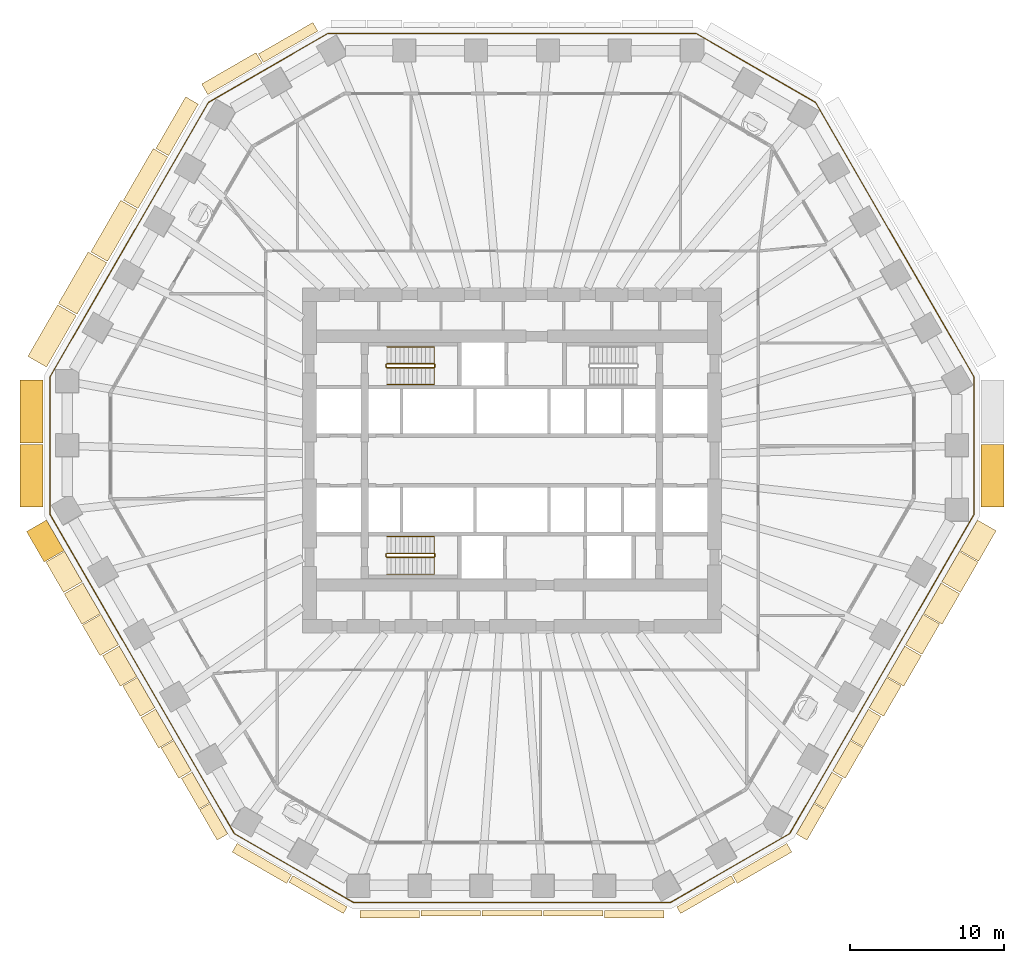
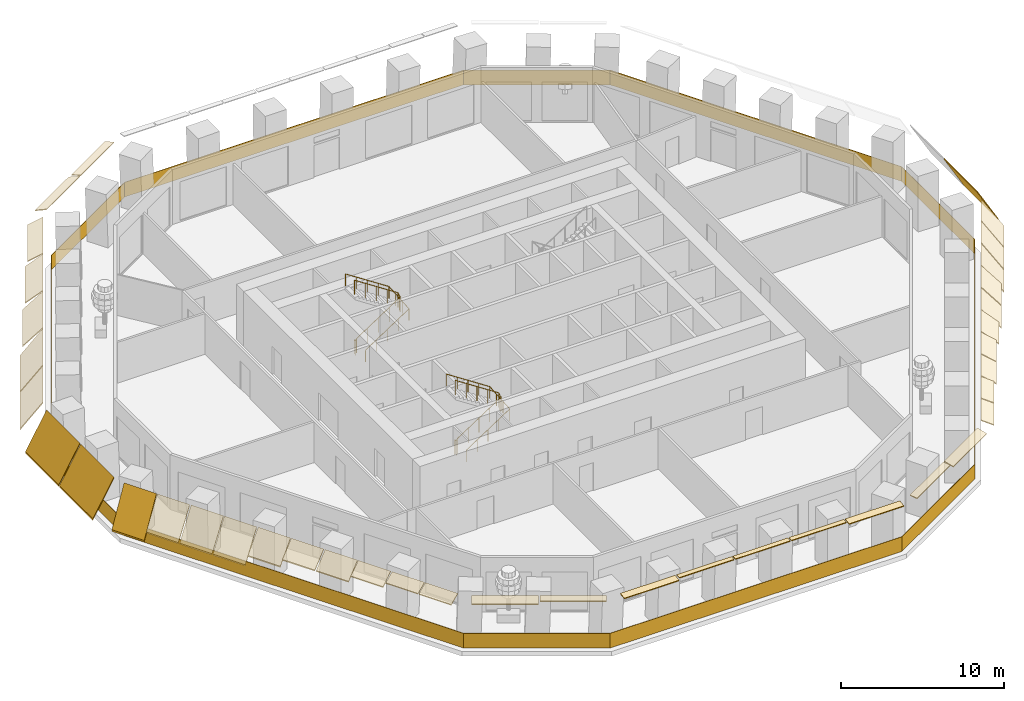
# One storey, part 9 of 12: 39 coverings, 5 railings.
"""IFC4 building model written with IfcOpenShell, lengths in metres."""

from ifc_helpers import new_model, si_unit, direction, frame, origin, origin_2d, place, context, subcontext, project, spatial, polyline, rectangle, circle, outline, extrude, material, layer, layer_set, type_object, element, save


model = new_model("IFC4")

# Units and contexts
model_context = context("Model", 3, precision=1e-05, world=origin(), true_north=direction((0.0, 1.0)))
body_context = subcontext(model_context, "Body", "Model", "MODEL_VIEW")
ifc_project = project(units=[si_unit("LENGTHUNIT", "METRE"), si_unit("AREAUNIT", "SQUARE_METRE"), si_unit("VOLUMEUNIT", "CUBIC_METRE"), si_unit("PLANEANGLEUNIT", "RADIAN"), si_unit("MASSUNIT", "GRAM", prefix="KILO")], contexts=[model_context])

# Site, building, storey
site_placement = place(None, origin())
site = spatial("IfcSite", under=ifc_project, at=site_placement, CompositionType="ELEMENT")
building_placement = place(site_placement, origin())
building = spatial("IfcBuilding", under=site, at=building_placement, Name="Frailejon Research Tower", CompositionType="ELEMENT")
storey_placement = place(building_placement, frame((0.0, 0.0, 45.39990234375)))
storey = spatial("IfcBuildingStorey", under=building, at=storey_placement, Name="L10", CompositionType="ELEMENT", Elevation=45.39990234375)

# Coverings
ifc_material_1 = material(Name="Precast concrete C50/60", Category="concrete")
ifc_layer_1 = layer(ifc_material_1, 0.06005859375)
ifc_layer_set_1 = layer_set([ifc_layer_1], Name="Brim blade depth 1100")
covering_type_1 = type_object("IfcCoveringType", Name="Brim blade depth 1100", PredefinedType="CLADDING", material=ifc_layer_set_1)
covering_1_placement = place(storey_placement, frame((-24.36083984375, 16.418212890625, 4.25), z_axis=(0.500014877162, 0.866016814281, 0.0), x_axis=(-0.866016814281, 0.500014877162, 0.0)))
element("IfcCovering", 1, at=covering_1_placement, inside=storey, type_object=covering_type_1, Name="Brim blade L10", PredefinedType="CLADDING", context=body_context, shape_type="SweptSolid", body=[
    extrude(outline(polyline([(0.0, -0.078369140625), (1.10009765625, -1.001220703125), (1.10009765625, -0.923095703125), (0.0, 0.0), (0.0, -0.078369140625)])), origin(), (0.0, 0.0, 1.0), 3.87646484375),
])
for number, where, z_axis, x_axis, name in (
    (2, (-23.26123046875, -16.1103515625, 4.25), (-0.499998657071, 0.866026179123, 0.0), (-0.866026179123, -0.499998657071, 0.0), "Brim blade L10"),
    (3, (-22.0654296875, -18.181396484375, 4.25), (-0.500005339875, 0.866022320784, 0.0), (-0.866022320784, -0.500005339875, 0.0), "Brim blade L10"),
    (4, (24.406982421875, -14.1259765625, 4.25), (-0.499998657071, -0.866026179123, 0.0), (0.866026179123, -0.499998657071, 0.0), "Brim blade L10"),
):
    element("IfcCovering", number, at=place(storey_placement, frame(where, z_axis=z_axis, x_axis=x_axis)), inside=storey, type_object=covering_type_1, Name=name, PredefinedType="CLADDING", context=body_context, shape_type="SweptSolid", body=[
        extrude(outline(polyline([(0.0, -0.078369140625), (1.10009765625, -1.001220703125), (1.10009765625, -0.923095703125), (0.0, 0.0), (0.0, -0.078369140625)])), origin(), (0.0, 0.0, 1.0), 2.29150390625),
    ])
ifc_material_2 = material(Name="Precast concrete C50/60", Category="concrete")
ifc_layer_2 = layer(ifc_material_2, 0.06005859375)
ifc_layer_set_2 = layer_set([ifc_layer_2], Name="Brim blade depth 1250")
covering_type_2 = type_object("IfcCoveringType", Name="Brim blade depth 1250", PredefinedType="CLADDING", material=ifc_layer_set_2)
covering_2_placement = place(storey_placement, frame((-26.34912109375, 12.974609375, 4.25), z_axis=(0.499985126803, 0.866033990659, 0.0), x_axis=(-0.866033990659, 0.499985126803, 0.0)))
element("IfcCovering", 5, at=covering_2_placement, inside=storey, type_object=covering_type_2, Name="Brim blade L10", PredefinedType="CLADDING", context=body_context, shape_type="SweptSolid", body=[
    extrude(outline(polyline([(0.0, -0.0888671875), (1.25, -1.452880859375), (1.25, -1.364013671875), (0.0, 0.0), (0.0, -0.0888671875)])), origin(), (0.0, 0.0, 1.0), 3.87646484375),
])
for number, where, z_axis, x_axis, name in (
    (6, (-24.43701171875, -14.073974609375, 4.25), (-0.499998657071, 0.866026179123, 0.0), (-0.866026179123, -0.499998657071, 0.0), "Brim blade L10"),
    (7, (25.58251953125, -12.089599609375, 4.25), (-0.499998657071, -0.866026179123, 0.0), (0.866026179123, -0.499998657071, 0.0), "Brim blade L10"),
    (8, (26.7783203125, -10.0185546875, 4.25), (-0.499989527125, -0.866031450217, 0.0), (0.866031450217, -0.499989527125, 0.0), "Brim blade L10"),
):
    element("IfcCovering", number, at=place(storey_placement, frame(where, z_axis=z_axis, x_axis=x_axis)), inside=storey, type_object=covering_type_2, Name=name, PredefinedType="CLADDING", context=body_context, shape_type="SweptSolid", body=[
        extrude(outline(polyline([(0.0, -0.0888671875), (1.25, -1.452880859375), (1.25, -1.364013671875), (0.0, 0.0), (0.0, -0.0888671875)])), origin(), (0.0, 0.0, 1.0), 2.29150390625),
    ])
ifc_material_3 = material(Name="Precast concrete C50/60", Category="concrete")
ifc_layer_3 = layer(ifc_material_3, 0.06005859375)
ifc_layer_set_3 = layer_set([ifc_layer_3], Name="Brim blade depth 1400")
covering_type_3 = type_object("IfcCoveringType", Name="Brim blade depth 1400", PredefinedType="CLADDING", material=ifc_layer_set_3)
for number, where, z_axis, x_axis, name in (
    (9, (-28.337158203125, 9.53076171875, 4.25), (0.499996015972, 0.866027703952, 0.0), (-0.866027703952, 0.499996015972, 0.0), "Brim blade L10"),
    (10, (-30.325439453125, 6.087158203125, 4.25), (0.500014877162, 0.866016814281, 0.0), (-0.866016814281, 0.500014877162, 0.0), "Brim blade L10"),
):
    element("IfcCovering", number, at=place(storey_placement, frame(where, z_axis=z_axis, x_axis=x_axis)), inside=storey, type_object=covering_type_3, Name=name, PredefinedType="CLADDING", context=body_context, shape_type="SweptSolid", body=[
        extrude(outline(polyline([(0.0, -0.1044921875), (1.39990234375, -2.10400390625), (1.39990234375, -1.99951171875), (0.0, 0.0), (0.0, -0.1044921875)])), origin(), (0.0, 0.0, 1.0), 3.87646484375),
    ])
for number, where, z_axis, x_axis, name in (
    (11, (-28.00390625, -7.8955078125, 4.25), (-0.500014469725, 0.866017049524, 0.0), (-0.866017049524, -0.500014469725, 0.0), "Brim blade L10"),
    (12, (-26.808349609375, -9.966552734375, 4.25), (-0.499989527125, 0.866031450217, 0.0), (-0.866031450217, -0.499989527125, 0.0), "Brim blade L10"),
    (13, (-25.632568359375, -12.0029296875, 4.25), (-0.499989527125, 0.866031450217, 0.0), (-0.866031450217, -0.499989527125, 0.0), "Brim blade L10"),
    (14, (27.9541015625, -7.982177734375, 4.25), (-0.499989527125, -0.866031450217, 0.0), (0.866031450217, -0.499989527125, 0.0), "Brim blade L10"),
    (15, (29.14990234375, -5.9111328125, 4.25), (-0.500014469725, -0.866017049524, 0.0), (0.866017049524, -0.500014469725, 0.0), "Brim blade L10"),
    (16, (30.325439453125, -3.874755859375, 4.25), (-0.500014469725, -0.866017049524, 0.0), (0.866017049524, -0.500014469725, 0.0), "Brim blade L10"),
):
    element("IfcCovering", number, at=place(storey_placement, frame(where, z_axis=z_axis, x_axis=x_axis)), inside=storey, type_object=covering_type_3, Name=name, PredefinedType="CLADDING", context=body_context, shape_type="SweptSolid", body=[
        extrude(outline(polyline([(0.0, -0.1044921875), (1.39990234375, -2.10400390625), (1.39990234375, -1.99951171875), (0.0, 0.0), (0.0, -0.1044921875)])), origin(), (0.0, 0.0, 1.0), 2.29150390625),
    ])
ifc_material_4 = material(Name="Precast concrete C50/60", Category="concrete")
ifc_layer_4 = layer(ifc_material_4, 0.06005859375)
ifc_layer_set_4 = layer_set([ifc_layer_4], Name="Brim blade depth 1500")
covering_type_4 = type_object("IfcCoveringType", Name="Brim blade depth 1500", PredefinedType="CLADDING", material=ifc_layer_set_4)
for number, where, z_axis, x_axis, name in (
    (17, (30.551513671875, 1.05615234375, 4.25), (0.0, -1.0, 0.0), (1.0, 0.0, 0.0), "Brim blade L10"),
    (18, (-30.551513671875, 1.15625, 4.25), (0.0, 1.0, 0.0), (-1.0, 0.0, 0.0), "Brim blade L10"),
    (19, (-30.551513671875, -3.031494140625, 4.25), (0.0, 1.0, 0.0), (-1.0, 0.0, 0.0), "Brim blade L10"),
):
    element("IfcCovering", number, at=place(storey_placement, frame(where, z_axis=z_axis, x_axis=x_axis)), inside=storey, type_object=covering_type_4, Name=name, PredefinedType="CLADDING", context=body_context, shape_type="SweptSolid", body=[
        extrude(outline(polyline([(0.0, -0.1201171875), (1.5, -2.718017578125), (1.5, -2.59814453125), (0.0, 0.0), (0.0, -0.1201171875)])), origin(), (0.0, 0.0, 1.0), 4.087646484375),
    ])
covering_3_placement = place(storey_placement, frame((-29.1796875, -5.859130859375, 4.25), z_axis=(-0.500014469725, 0.866017049524, 0.0), x_axis=(-0.866017049524, -0.500014469725, 0.0)))
element("IfcCovering", 20, at=covering_3_placement, inside=storey, type_object=covering_type_4, Name="Brim blade L10", PredefinedType="CLADDING", context=body_context, shape_type="SweptSolid", body=[
    extrude(outline(polyline([(0.0, -0.1201171875), (1.5, -2.718017578125), (1.5, -2.59814453125), (0.0, 0.0), (0.0, -0.1201171875)])), origin(), (0.0, 0.0, 1.0), 2.29150390625),
])
ifc_material_5 = material(Name="Precast concrete C50/60", Category="concrete")
ifc_layer_5 = layer(ifc_material_5, 0.06005859375)
ifc_layer_set_5 = layer_set([ifc_layer_5], Name="Brim blade depth 350")
covering_type_5 = type_object("IfcCoveringType", Name="Brim blade depth 350", PredefinedType="CLADDING", material=ifc_layer_set_5)
for number, where, z_axis, x_axis, name in (
    (21, (-2.0380859375, -29.30615234375, 4.25), (-1.0, 0.0, 0.0), (0.0, -1.0, 0.0), "Brim blade L10"),
    (22, (1.938232421875, -29.30615234375, 4.25), (-1.0, 0.0, 0.0), (0.0, -1.0, 0.0), "Brim blade L10"),
    (23, (5.914794921875, -29.30615234375, 4.25), (-1.0, 0.0, 0.0), (0.0, -1.0, 0.0), "Brim blade L10"),
):
    element("IfcCovering", number, at=place(storey_placement, frame(where, z_axis=z_axis, x_axis=x_axis)), inside=storey, type_object=covering_type_5, Name=name, PredefinedType="CLADDING", context=body_context, shape_type="SweptSolid", body=[
        extrude(outline(polyline([(0.0, -0.06005859375), (0.35009765625, -0.06005859375), (0.35009765625, 0.0), (0.0, 0.0), (0.0, -0.06005859375)])), origin(), (0.0, 0.0, 1.0), 3.87646484375),
    ])
ifc_material_6 = material(Name="Precast concrete C50/60", Category="concrete")
ifc_layer_6 = layer(ifc_material_6, 0.06005859375)
ifc_layer_set_6 = layer_set([ifc_layer_6], Name="Brim blade depth 500")
covering_type_6 = type_object("IfcCoveringType", Name="Brim blade depth 500", PredefinedType="CLADDING", material=ifc_layer_set_6)
covering_4_placement = place(storey_placement, frame((-10.734619140625, -29.080078125, 4.25), z_axis=(-0.866021344981, 0.500007029989, 0.0), x_axis=(-0.500007029989, -0.866021344981, 0.0)))
element("IfcCovering", 24, at=covering_4_placement, inside=storey, type_object=covering_type_6, Name="Brim blade L10", PredefinedType="CLADDING", context=body_context, shape_type="SweptSolid", body=[
    extrude(outline(polyline([(0.0, -0.060546875), (0.5, -0.130859375), (0.5, -0.0703125), (0.0, 0.0), (0.0, -0.060546875)])), origin(), (0.0, 0.0, 1.0), 4.08740234375),
])
for number, where, z_axis, x_axis, name in (
    (25, (-6.0146484375, -29.30615234375, 4.25), (-1.0, 0.0, 0.0), (0.0, -1.0, 0.0), "Brim blade L10"),
    (26, (9.89111328125, -29.30615234375, 4.25), (-1.0, 0.0, 0.0), (0.0, -1.0, 0.0), "Brim blade L10"),
):
    element("IfcCovering", number, at=place(storey_placement, frame(where, z_axis=z_axis, x_axis=x_axis)), inside=storey, type_object=covering_type_6, Name=name, PredefinedType="CLADDING", context=body_context, shape_type="SweptSolid", body=[
        extrude(outline(polyline([(0.0, -0.060546875), (0.5, -0.130859375), (0.5, -0.0703125), (0.0, 0.0), (0.0, -0.060546875)])), origin(), (0.0, 0.0, 1.0), 3.87646484375),
    ])
covering_5_placement = place(storey_placement, frame((14.2744140625, -27.036376953125, 4.25), z_axis=(-0.866021344981, -0.500007029989, 0.0), x_axis=(0.500007029989, -0.866021344981, 0.0)))
element("IfcCovering", 27, at=covering_5_placement, inside=storey, type_object=covering_type_6, Name="Brim blade L10", PredefinedType="CLADDING", context=body_context, shape_type="SweptSolid", body=[
    extrude(outline(polyline([(0.0, -0.060546875), (0.5, -0.130859375), (0.5, -0.0703125), (0.0, 0.0), (0.0, -0.060546875)])), origin(), (0.0, 0.0, 1.0), 4.08740234375),
])
ifc_material_7 = material(Name="Precast concrete C50/60", Category="concrete")
ifc_layer_7 = layer(ifc_material_7, 0.06005859375)
ifc_layer_set_7 = layer_set([ifc_layer_7], Name="Brim blade depth 650")
covering_type_7 = type_object("IfcCoveringType", Name="Brim blade depth 650", PredefinedType="CLADDING", material=ifc_layer_set_7)
covering_6_placement = place(storey_placement, frame((-16.1904296875, 25.93017578125, 4.25), z_axis=(0.866021344981, 0.500007029989, 0.0), x_axis=(-0.500007029989, 0.866021344981, 0.0)))
element("IfcCovering", 28, at=covering_6_placement, inside=storey, type_object=covering_type_7, Name="Brim blade L10", PredefinedType="CLADDING", context=body_context, shape_type="SweptSolid", body=[
    extrude(outline(polyline([(0.0, -0.0625), (0.64990234375, -0.248779296875), (0.64990234375, -0.186279296875), (0.0, 0.0), (0.0, -0.0625)])), origin(), (0.0, 0.0, 1.0), 4.08740234375),
])
for number, where, z_axis, x_axis, name in (
    (29, (-14.361083984375, -26.986328125, 4.25), (-0.866027315287, 0.499996689166, 0.0), (-0.499996689166, -0.866027315287, 0.0), "Brim blade L10"),
    (30, (17.90087890625, -24.942626953125, 4.25), (-0.866027315287, -0.499996689166, 0.0), (0.499996689166, -0.866027315287, 0.0), "Brim blade L10"),
):
    element("IfcCovering", number, at=place(storey_placement, frame(where, z_axis=z_axis, x_axis=x_axis)), inside=storey, type_object=covering_type_7, Name=name, PredefinedType="CLADDING", context=body_context, shape_type="SweptSolid", body=[
        extrude(outline(polyline([(0.0, -0.0625), (0.64990234375, -0.248779296875), (0.64990234375, -0.186279296875), (0.0, 0.0), (0.0, -0.0625)])), origin(), (0.0, 0.0, 1.0), 4.087646484375),
    ])
ifc_material_8 = material(Name="Precast concrete C50/60", Category="concrete")
ifc_layer_8 = layer(ifc_material_8, 0.06005859375)
ifc_layer_set_8 = layer_set([ifc_layer_8], Name="Brim blade depth 800")
covering_type_8 = type_object("IfcCoveringType", Name="Brim blade depth 800", PredefinedType="CLADDING", material=ifc_layer_set_8)
covering_7_placement = place(storey_placement, frame((-19.81689453125, 23.83642578125, 4.25), z_axis=(0.866027315287, 0.499996689166, 0.0), x_axis=(-0.499996689166, 0.866027315287, 0.0)))
element("IfcCovering", 31, at=covering_7_placement, inside=storey, type_object=covering_type_8, Name="Brim blade L10", PredefinedType="CLADDING", context=body_context, shape_type="SweptSolid", body=[
    extrude(outline(polyline([(0.0, -0.065673828125), (0.800048828125, -0.421875), (0.800048828125, -0.356201171875), (0.0, 0.0), (0.0, -0.065673828125)])), origin(), (0.0, 0.0, 1.0), 4.087646484375),
])
for number, where, z_axis, x_axis, name in (
    (32, (-19.694091796875, -22.288818359375, 4.25), (-0.499998657071, 0.866026179123, 0.0), (-0.866026179123, -0.499998657071, 0.0), "Brim blade L10"),
    (33, (-18.518310546875, -24.3251953125, 4.25), (-0.499998657071, 0.866026179123, 0.0), (-0.866026179123, -0.499998657071, 0.0), "Brim blade L10"),
    (34, (19.6640625, -22.3408203125, 4.25), (-0.499998657071, -0.866026179123, 0.0), (0.866026179123, -0.499998657071, 0.0), "Brim blade L10"),
    (35, (20.839599609375, -20.304443359375, 4.25), (-0.499998657071, -0.866026179123, 0.0), (0.866026179123, -0.499998657071, 0.0), "Brim blade L10"),
):
    element("IfcCovering", number, at=place(storey_placement, frame(where, z_axis=z_axis, x_axis=x_axis)), inside=storey, type_object=covering_type_8, Name=name, PredefinedType="CLADDING", context=body_context, shape_type="SweptSolid", body=[
        extrude(outline(polyline([(0.0, -0.065673828125), (0.800048828125, -0.421875), (0.800048828125, -0.356201171875), (0.0, 0.0), (0.0, -0.065673828125)])), origin(), (0.0, 0.0, 1.0), 2.29150390625),
    ])
ifc_material_9 = material(Name="Precast concrete C50/60", Category="concrete")
ifc_layer_9 = layer(ifc_material_9, 0.06005859375)
ifc_layer_set_9 = layer_set([ifc_layer_9], Name="Brim blade depth 950")
covering_type_9 = type_object("IfcCoveringType", Name="Brim blade depth 950", PredefinedType="CLADDING", material=ifc_layer_set_9)
covering_8_placement = place(storey_placement, frame((-22.37255859375, 19.862060546875, 4.25), z_axis=(0.499996015972, 0.866027703952, 0.0), x_axis=(-0.866027703952, 0.499996015972, 0.0)))
element("IfcCovering", 36, at=covering_8_placement, inside=storey, type_object=covering_type_9, Name="Brim blade L10", PredefinedType="CLADDING", context=body_context, shape_type="SweptSolid", body=[
    extrude(outline(polyline([(0.0, -0.07080078125), (0.949951171875, -0.664306640625), (0.949951171875, -0.593505859375), (0.0, 0.0), (0.0, -0.07080078125)])), origin(), (0.0, 0.0, 1.0), 3.87646484375),
])
for number, where, z_axis, x_axis, name in (
    (37, (-20.8896484375, -20.218017578125, 4.25), (-0.500005339875, 0.866022320784, 0.0), (-0.866022320784, -0.500005339875, 0.0), "Brim blade L10"),
    (38, (22.035400390625, -18.2333984375, 4.25), (-0.500005339875, -0.866022320784, 0.0), (0.866022320784, -0.500005339875, 0.0), "Brim blade L10"),
    (39, (23.211181640625, -16.197021484375, 4.25), (-0.500005339875, -0.866022320784, 0.0), (0.866022320784, -0.500005339875, 0.0), "Brim blade L10"),
):
    element("IfcCovering", number, at=place(storey_placement, frame(where, z_axis=z_axis, x_axis=x_axis)), inside=storey, type_object=covering_type_9, Name=name, PredefinedType="CLADDING", context=body_context, shape_type="SweptSolid", body=[
        extrude(outline(polyline([(0.0, -0.07080078125), (0.949951171875, -0.664306640625), (0.949951171875, -0.593505859375), (0.0, 0.0), (0.0, -0.07080078125)])), origin(), (0.0, 0.0, 1.0), 2.29150390625),
    ])

# Railings
ifc_material_10 = material(Name="Laminated glass balustrade", Category="glass")
railing_type_1 = type_object("IfcRailingType", Name="Glass guard 1100", PredefinedType="GUARDRAIL", material=ifc_material_10)
railing_1_placement = place(storey_placement, frame((30.09228515625, -3.52001953125, 0.0)))
element("IfcRailing", 40, at=railing_1_placement, inside=storey, type_object=railing_type_1, Name="Loggia guard L10", PredefinedType="GUARDRAIL", context=body_context, shape_type="SweptSolid", body=[
    extrude(rectangle(XDim=8.975830078125, YDim=0.030029296875, at=origin_2d()), frame((0.0, 4.48779296875, 0.0), z_axis=(0.0, 0.0, 1.0), x_axis=(0.0, 1.0, 0.0)), (0.0, 0.0, 1.0), 1.10009765625),
    extrude(rectangle(XDim=20.642822265625, YDim=0.030029296875, at=origin_2d()), frame((-5.16064453125, 17.91455078125, 0.0), z_axis=(0.0, 0.0, 1.0), x_axis=(-0.499995800294, 0.866027828472, 0.0)), (0.0, 0.0, 1.0), 1.10009765625),
    extrude(rectangle(XDim=8.9755859375, YDim=0.030029296875, at=origin_2d()), frame((-14.2080078125, 29.096923828125, 0.0), z_axis=(0.0, 0.0, 1.0), x_axis=(-0.866028409771, 0.499994793442, 0.0)), (0.0, 0.0, 1.0), 1.10009765625),
    extrude(rectangle(XDim=23.99560546875, YDim=0.030029296875, at=origin_2d()), frame((-30.09228515625, 31.3408203125, 0.0), z_axis=(0.0, 0.0, 1.0), x_axis=(-1.0, 0.0, 0.0)), (0.0, 0.0, 1.0), 1.10009765625),
    extrude(rectangle(XDim=8.9755859375, YDim=0.030029296875, at=origin_2d()), frame((-45.9765625, 29.096923828125, 0.0), z_axis=(0.0, 0.0, 1.0), x_axis=(-0.866028409771, -0.499994793442, 0.0)), (0.0, 0.0, 1.0), 1.10009765625),
    extrude(rectangle(XDim=20.642822265625, YDim=0.030029296875, at=origin_2d()), frame((-55.02392578125, 17.91455078125, 0.0), z_axis=(0.0, 0.0, 1.0), x_axis=(-0.499995800294, -0.866027828472, 0.0)), (0.0, 0.0, 1.0), 1.10009765625),
    extrude(rectangle(XDim=8.975830078125, YDim=0.030029296875, at=origin_2d()), frame((-60.1845703125, 4.48779296875, 0.0), z_axis=(0.0, 0.0, 1.0), x_axis=(0.0, -1.0, 0.0)), (0.0, 0.0, 1.0), 1.10009765625),
    extrude(rectangle(XDim=23.99560546875, YDim=0.030029296875, at=origin_2d()), frame((-54.185546875, -10.390380859375, 0.0), z_axis=(0.0, 0.0, 1.0), x_axis=(0.500000761456, -0.866024964157, 0.0)), (0.0, 0.0, 1.0), 1.10009765625),
    extrude(rectangle(XDim=8.975830078125, YDim=0.030029296875, at=origin_2d()), frame((-44.30029296875, -23.02490234375, 0.0), z_axis=(0.0, 0.0, 1.0), x_axis=(0.866016631724, -0.500015193347, 0.0)), (0.0, 0.0, 1.0), 1.10009765625),
    extrude(rectangle(XDim=20.642578125, YDim=0.030029296875, at=origin_2d()), frame((-30.09228515625, -25.268798828125, 0.0), z_axis=(0.0, 0.0, 1.0), x_axis=(1.0, 0.0, 0.0)), (0.0, 0.0, 1.0), 1.10009765625),
    extrude(rectangle(XDim=8.975830078125, YDim=0.030029296875, at=origin_2d()), frame((-15.88427734375, -23.02490234375, 0.0), z_axis=(0.0, 0.0, 1.0), x_axis=(0.866016631724, 0.500015193347, 0.0)), (0.0, 0.0, 1.0), 1.10009765625),
    extrude(rectangle(XDim=23.92578125, YDim=0.030029296875, at=origin_2d()), frame((-6.016357421875, -10.420654296875, 0.0), z_axis=(0.0, 0.0, 1.0), x_axis=(0.500002163175, 0.866024154871, 0.0)), (0.0, 0.0, 1.0), 1.10009765625),
])
ifc_material_11 = material(Name="Stainless steel", Category="steel")
railing_type_2 = type_object("IfcRailingType", Name="Stair guard 1100", PredefinedType="GUARDRAIL", material=ifc_material_11)
railing_2_placement = place(storey_placement, frame((-8.199951171875, 6.25, 0.0)))
element("IfcRailing", 41, at=railing_2_placement, inside=storey, type_object=railing_type_2, Name="L10 ST1 stair guard 1", PredefinedType="GUARDRAIL", context=body_context, shape_type="SweptSolid", body=[
    extrude(circle(Radius=0.02392578125, at=origin_2d()), frame((0.0, 0.0, 1.076171875), z_axis=(0.0, -1.0, 0.0), x_axis=(1.0, 0.0, 0.0)), (0.0, 0.0, 1.0), 0.14990234375),
    extrude(circle(Radius=0.02392578125, at=origin_2d()), frame((0.0, -0.14990234375, 1.076171875), z_axis=(0.254653276557, -0.254653276557, 0.932900539971), x_axis=(0.707106781187, 0.707106781187, 0.0)), (0.0, 0.0, 1.0), 0.196533203125),
    extrude(circle(Radius=0.02392578125, at=origin_2d()), frame((0.050048828125, -0.199951171875, 1.25927734375), z_axis=(0.836582707638, 0.0, 0.547840645882), x_axis=(0.0, 1.0, 0.0)), (0.0, 0.0, 1.0), 3.681396484375),
    extrude(circle(Radius=0.02392578125, at=origin_2d()), frame((3.1298828125, -0.199951171875, 3.2763671875), z_axis=(0.707106781187, 0.707106781187, 0.0), x_axis=(-0.707106781187, 0.707106781187, 0.0)), (0.0, 0.0, 1.0), 0.07080078125),
    extrude(circle(Radius=0.02392578125, at=origin_2d()), frame((3.179931640625, -0.14990234375, 3.2763671875), z_axis=(0.0, 1.0, 0.0), x_axis=(-1.0, 0.0, 0.0)), (0.0, 0.0, 1.0), 0.14990234375),
    extrude(circle(Radius=0.02392578125, at=origin_2d()), frame((3.179931640625, 0.0, 3.2763671875), z_axis=(-0.254653276557, 0.254653276557, 0.932900539971), x_axis=(-0.707106781187, -0.707106781187, 0.0)), (0.0, 0.0, 1.0), 0.196533203125),
    extrude(circle(Radius=0.02392578125, at=origin_2d()), frame((3.1298828125, 0.050048828125, 3.45947265625), z_axis=(-0.836613101238, 0.0, 0.547794230379), x_axis=(0.0, -1.0, 0.0)), (0.0, 0.0, 1.0), 3.681396484375),
    extrude(circle(Radius=0.02099609375, at=origin_2d()), origin(), (0.0, 0.0, 1.0), 1.052001953125),
    extrude(circle(Radius=0.02099609375, at=origin_2d()), frame((0.0, -0.14990234375, 0.0)), (0.0, 0.0, 1.0), 1.052001953125),
    extrude(circle(Radius=0.02099609375, at=origin_2d()), frame((0.050048828125, -0.199951171875, 0.183349609375)), (0.0, 0.0, 1.0), 1.052001953125),
    extrude(circle(Radius=0.02099609375, at=origin_2d()), frame((0.820068359375, -0.199951171875, 0.6875)), (0.0, 0.0, 1.0), 1.052001953125),
    extrude(circle(Radius=0.02099609375, at=origin_2d()), frame((1.58984375, -0.199951171875, 1.19189453125)), (0.0, 0.0, 1.0), 1.052001953125),
    extrude(circle(Radius=0.02099609375, at=origin_2d()), frame((2.35986328125, -0.199951171875, 1.696044921875)), (0.0, 0.0, 1.0), 1.052001953125),
    extrude(circle(Radius=0.02099609375, at=origin_2d()), frame((3.1298828125, -0.199951171875, 2.2001953125)), (0.0, 0.0, 1.0), 1.052001953125),
    extrude(circle(Radius=0.02099609375, at=origin_2d()), frame((3.179931640625, -0.14990234375, 2.2001953125)), (0.0, 0.0, 1.0), 1.052001953125),
    extrude(circle(Radius=0.02099609375, at=origin_2d()), frame((3.179931640625, 0.0, 2.2001953125)), (0.0, 0.0, 1.0), 1.052001953125),
    extrude(circle(Radius=0.02099609375, at=origin_2d()), frame((3.1298828125, 0.050048828125, 2.383544921875)), (0.0, 0.0, 1.0), 1.052001953125),
    extrude(circle(Radius=0.02099609375, at=origin_2d()), frame((2.35986328125, 0.050048828125, 2.8876953125)), (0.0, 0.0, 1.0), 1.052001953125),
    extrude(circle(Radius=0.02099609375, at=origin_2d()), frame((1.58984375, 0.050048828125, 3.391845703125)), (0.0, 0.0, 1.0), 1.052001953125),
    extrude(circle(Radius=0.02099609375, at=origin_2d()), frame((0.820068359375, 0.050048828125, 3.89599609375)), (0.0, 0.0, 1.0), 1.052001953125),
    extrude(circle(Radius=0.02099609375, at=origin_2d()), frame((0.050048828125, 0.050048828125, 4.400146484375)), (0.0, 0.0, 1.0), 1.052001953125),
])
railing_3_placement = place(storey_placement, frame((-8.199951171875, -6.10009765625, 0.0)))
element("IfcRailing", 42, at=railing_3_placement, inside=storey, type_object=railing_type_2, Name="L10 ST2 stair guard 1", PredefinedType="GUARDRAIL", context=body_context, shape_type="SweptSolid", body=[
    extrude(circle(Radius=0.02392578125, at=origin_2d()), frame((0.0, 0.0, 1.076171875), z_axis=(0.0, -1.0, 0.0), x_axis=(1.0, 0.0, 0.0)), (0.0, 0.0, 1.0), 0.14990234375),
    extrude(circle(Radius=0.02392578125, at=origin_2d()), frame((0.0, -0.14990234375, 1.076171875), z_axis=(0.254653276557, -0.254653276557, 0.932900539971), x_axis=(0.707106781187, 0.707106781187, 0.0)), (0.0, 0.0, 1.0), 0.196533203125),
    extrude(circle(Radius=0.02392578125, at=origin_2d()), frame((0.050048828125, -0.199951171875, 1.25927734375), z_axis=(0.836582707638, 0.0, 0.547840645882), x_axis=(0.0, 1.0, 0.0)), (0.0, 0.0, 1.0), 3.681396484375),
    extrude(circle(Radius=0.02392578125, at=origin_2d()), frame((3.1298828125, -0.199951171875, 3.2763671875), z_axis=(0.707106781187, 0.707106781187, 0.0), x_axis=(-0.707106781187, 0.707106781187, 0.0)), (0.0, 0.0, 1.0), 0.07080078125),
    extrude(circle(Radius=0.02392578125, at=origin_2d()), frame((3.179931640625, -0.14990234375, 3.2763671875), z_axis=(0.0, 1.0, 0.0), x_axis=(-1.0, 0.0, 0.0)), (0.0, 0.0, 1.0), 0.14990234375),
    extrude(circle(Radius=0.02392578125, at=origin_2d()), frame((3.179931640625, 0.0, 3.2763671875), z_axis=(-0.254653276557, 0.254653276557, 0.932900539971), x_axis=(-0.707106781187, -0.707106781187, 0.0)), (0.0, 0.0, 1.0), 0.196533203125),
    extrude(circle(Radius=0.02392578125, at=origin_2d()), frame((3.1298828125, 0.050048828125, 3.45947265625), z_axis=(-0.836613101238, 0.0, 0.547794230379), x_axis=(0.0, -1.0, 0.0)), (0.0, 0.0, 1.0), 3.681396484375),
    extrude(circle(Radius=0.02099609375, at=origin_2d()), origin(), (0.0, 0.0, 1.0), 1.052001953125),
    extrude(circle(Radius=0.02099609375, at=origin_2d()), frame((0.0, -0.14990234375, 0.0)), (0.0, 0.0, 1.0), 1.052001953125),
    extrude(circle(Radius=0.02099609375, at=origin_2d()), frame((0.050048828125, -0.199951171875, 0.183349609375)), (0.0, 0.0, 1.0), 1.052001953125),
    extrude(circle(Radius=0.02099609375, at=origin_2d()), frame((0.820068359375, -0.199951171875, 0.6875)), (0.0, 0.0, 1.0), 1.052001953125),
    extrude(circle(Radius=0.02099609375, at=origin_2d()), frame((1.58984375, -0.199951171875, 1.19189453125)), (0.0, 0.0, 1.0), 1.052001953125),
    extrude(circle(Radius=0.02099609375, at=origin_2d()), frame((2.35986328125, -0.199951171875, 1.696044921875)), (0.0, 0.0, 1.0), 1.052001953125),
    extrude(circle(Radius=0.02099609375, at=origin_2d()), frame((3.1298828125, -0.199951171875, 2.2001953125)), (0.0, 0.0, 1.0), 1.052001953125),
    extrude(circle(Radius=0.02099609375, at=origin_2d()), frame((3.179931640625, -0.14990234375, 2.2001953125)), (0.0, 0.0, 1.0), 1.052001953125),
    extrude(circle(Radius=0.02099609375, at=origin_2d()), frame((3.179931640625, 0.0, 2.2001953125)), (0.0, 0.0, 1.0), 1.052001953125),
    extrude(circle(Radius=0.02099609375, at=origin_2d()), frame((3.1298828125, 0.050048828125, 2.383544921875)), (0.0, 0.0, 1.0), 1.052001953125),
    extrude(circle(Radius=0.02099609375, at=origin_2d()), frame((2.35986328125, 0.050048828125, 2.8876953125)), (0.0, 0.0, 1.0), 1.052001953125),
    extrude(circle(Radius=0.02099609375, at=origin_2d()), frame((1.58984375, 0.050048828125, 3.391845703125)), (0.0, 0.0, 1.0), 1.052001953125),
    extrude(circle(Radius=0.02099609375, at=origin_2d()), frame((0.820068359375, 0.050048828125, 3.89599609375)), (0.0, 0.0, 1.0), 1.052001953125),
    extrude(circle(Radius=0.02099609375, at=origin_2d()), frame((0.050048828125, 0.050048828125, 4.400146484375)), (0.0, 0.0, 1.0), 1.052001953125),
])
ifc_material_12 = material(Name="Stainless steel", Category="steel")
railing_type_3 = type_object("IfcRailingType", Name="Stair handrail 900", PredefinedType="HANDRAIL", material=ifc_material_12)
railing_4_placement = place(storey_placement, frame((-8.14990234375, 4.949951171875, 0.183349609375)))
element("IfcRailing", 43, at=railing_4_placement, inside=storey, type_object=railing_type_3, Name="L10 ST1 stair handrail 1", PredefinedType="HANDRAIL", context=body_context, shape_type="SweptSolid", body=[
    extrude(circle(Radius=0.02392578125, at=origin_2d()), frame((0.0, 0.0, 0.8759765625), z_axis=(0.836582707638, 0.0, 0.547840645882), x_axis=(0.0, 1.0, 0.0)), (0.0, 0.0, 1.0), 3.681396484375),
    extrude(circle(Radius=0.02392578125, at=origin_2d()), frame((3.079833984375, 0.0, 2.892578125), z_axis=(0.0, 0.99721134034, 0.074629368868), x_axis=(-1.0, 0.0, 0.0)), (0.0, 0.0, 1.0), 2.456787109375),
    extrude(circle(Radius=0.02392578125, at=origin_2d()), frame((3.079833984375, 2.449951171875, 3.076171875), z_axis=(-0.836613101238, 0.0, 0.547794230379), x_axis=(0.0, -1.0, 0.0)), (0.0, 0.0, 1.0), 3.681396484375),
    extrude(circle(Radius=0.02099609375, at=origin_2d()), origin(), (0.0, 0.0, 1.0), 0.851806640625),
    extrude(circle(Radius=0.02099609375, at=origin_2d()), frame((0.77001953125, 0.0, 0.504150390625)), (0.0, 0.0, 1.0), 0.851806640625),
    extrude(circle(Radius=0.02099609375, at=origin_2d()), frame((1.5400390625, 0.0, 1.00830078125)), (0.0, 0.0, 1.0), 0.851806640625),
    extrude(circle(Radius=0.02099609375, at=origin_2d()), frame((2.309814453125, 0.0, 1.5126953125)), (0.0, 0.0, 1.0), 0.851806640625),
    extrude(circle(Radius=0.02099609375, at=origin_2d()), frame((3.079833984375, 0.0, 2.016845703125)), (0.0, 0.0, 1.0), 0.851806640625),
    extrude(circle(Radius=0.02099609375, at=origin_2d()), frame((3.079833984375, 0.816650390625, 2.077880859375)), (0.0, 0.0, 1.0), 0.851806640625),
    extrude(circle(Radius=0.02099609375, at=origin_2d()), frame((3.079833984375, 1.63330078125, 2.13916015625)), (0.0, 0.0, 1.0), 0.851806640625),
    extrude(circle(Radius=0.02099609375, at=origin_2d()), frame((3.079833984375, 2.449951171875, 2.2001953125)), (0.0, 0.0, 1.0), 0.851806640625),
    extrude(circle(Radius=0.02099609375, at=origin_2d()), frame((2.309814453125, 2.449951171875, 2.704345703125)), (0.0, 0.0, 1.0), 0.851806640625),
    extrude(circle(Radius=0.02099609375, at=origin_2d()), frame((1.5400390625, 2.449951171875, 3.20849609375)), (0.0, 0.0, 1.0), 0.851806640625),
    extrude(circle(Radius=0.02099609375, at=origin_2d()), frame((0.77001953125, 2.449951171875, 3.712646484375)), (0.0, 0.0, 1.0), 0.851806640625),
    extrude(circle(Radius=0.02099609375, at=origin_2d()), frame((0.0, 2.449951171875, 4.216796875)), (0.0, 0.0, 1.0), 0.851806640625),
])
railing_5_placement = place(storey_placement, frame((-8.14990234375, -7.39990234375, 0.183349609375)))
element("IfcRailing", 44, at=railing_5_placement, inside=storey, type_object=railing_type_3, Name="L10 ST2 stair handrail 1", PredefinedType="HANDRAIL", context=body_context, shape_type="SweptSolid", body=[
    extrude(circle(Radius=0.02392578125, at=origin_2d()), frame((0.0, 0.0, 0.8759765625), z_axis=(0.836582707638, 0.0, 0.547840645882), x_axis=(0.0, 1.0, 0.0)), (0.0, 0.0, 1.0), 3.681396484375),
    extrude(circle(Radius=0.02392578125, at=origin_2d()), frame((3.079833984375, 0.0, 2.892578125), z_axis=(0.0, 0.99721134034, 0.074629368868), x_axis=(-1.0, 0.0, 0.0)), (0.0, 0.0, 1.0), 2.456787109375),
    extrude(circle(Radius=0.02392578125, at=origin_2d()), frame((3.079833984375, 2.449951171875, 3.076171875), z_axis=(-0.836613101238, 0.0, 0.547794230379), x_axis=(0.0, -1.0, 0.0)), (0.0, 0.0, 1.0), 3.681396484375),
    extrude(circle(Radius=0.02099609375, at=origin_2d()), origin(), (0.0, 0.0, 1.0), 0.851806640625),
    extrude(circle(Radius=0.02099609375, at=origin_2d()), frame((0.77001953125, 0.0, 0.504150390625)), (0.0, 0.0, 1.0), 0.851806640625),
    extrude(circle(Radius=0.02099609375, at=origin_2d()), frame((1.5400390625, 0.0, 1.00830078125)), (0.0, 0.0, 1.0), 0.851806640625),
    extrude(circle(Radius=0.02099609375, at=origin_2d()), frame((2.309814453125, 0.0, 1.5126953125)), (0.0, 0.0, 1.0), 0.851806640625),
    extrude(circle(Radius=0.02099609375, at=origin_2d()), frame((3.079833984375, 0.0, 2.016845703125)), (0.0, 0.0, 1.0), 0.851806640625),
    extrude(circle(Radius=0.02099609375, at=origin_2d()), frame((3.079833984375, 0.816650390625, 2.077880859375)), (0.0, 0.0, 1.0), 0.851806640625),
    extrude(circle(Radius=0.02099609375, at=origin_2d()), frame((3.079833984375, 1.63330078125, 2.13916015625)), (0.0, 0.0, 1.0), 0.851806640625),
    extrude(circle(Radius=0.02099609375, at=origin_2d()), frame((3.079833984375, 2.449951171875, 2.2001953125)), (0.0, 0.0, 1.0), 0.851806640625),
    extrude(circle(Radius=0.02099609375, at=origin_2d()), frame((2.309814453125, 2.449951171875, 2.704345703125)), (0.0, 0.0, 1.0), 0.851806640625),
    extrude(circle(Radius=0.02099609375, at=origin_2d()), frame((1.5400390625, 2.449951171875, 3.20849609375)), (0.0, 0.0, 1.0), 0.851806640625),
    extrude(circle(Radius=0.02099609375, at=origin_2d()), frame((0.77001953125, 2.449951171875, 3.712646484375)), (0.0, 0.0, 1.0), 0.851806640625),
    extrude(circle(Radius=0.02099609375, at=origin_2d()), frame((0.0, 2.449951171875, 4.216796875)), (0.0, 0.0, 1.0), 0.851806640625),
])

save(model, "model.ifc")
